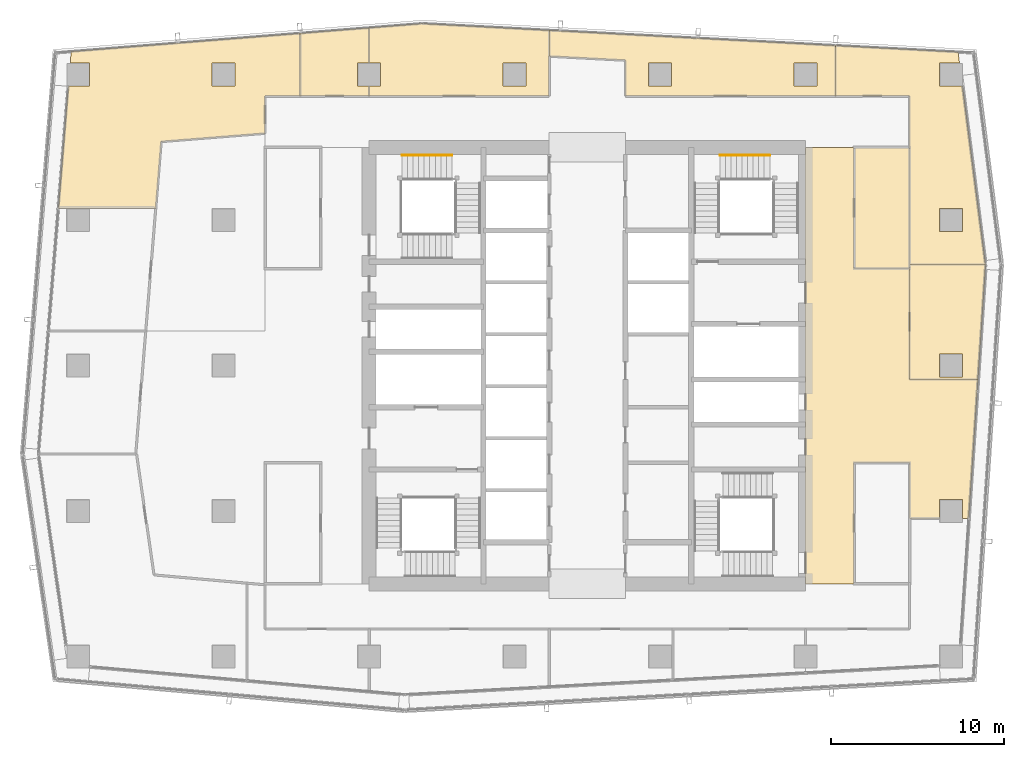
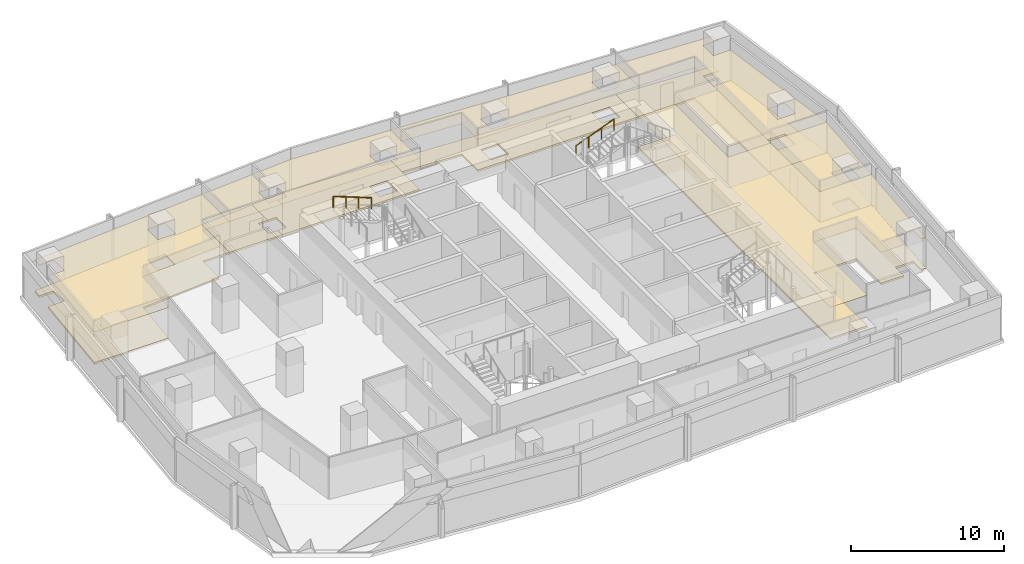
# One storey, part 29 of 29: 15 coverings, 2 railings.
"""IFC4 building model written with IfcOpenShell, lengths in metres."""

from ifc_helpers import new_model, si_unit, direction, frame, origin, origin_2d, place, context, subcontext, project, spatial, polyline, circle, outline, extrude, material, layer, layer_set, type_object, element, save


model = new_model("IFC4")

# Units and contexts
model_context = context("Model", 3, precision=1e-05, world=origin(), true_north=direction((0.0, 1.0)))
body_context = subcontext(model_context, "Body", "Model", "MODEL_VIEW")
ifc_project = project(units=[si_unit("LENGTHUNIT", "METRE"), si_unit("AREAUNIT", "SQUARE_METRE"), si_unit("VOLUMEUNIT", "CUBIC_METRE"), si_unit("PLANEANGLEUNIT", "RADIAN"), si_unit("MASSUNIT", "GRAM", prefix="KILO")], contexts=[model_context])

# Site, building, storey
site_placement = place(None, origin())
site = spatial("IfcSite", under=ifc_project, at=site_placement, CompositionType="ELEMENT")
building_placement = place(site_placement, origin())
building = spatial("IfcBuilding", under=site, at=building_placement, Name="Rekha Terrace Tower", CompositionType="ELEMENT")
storey_placement = place(building_placement, frame((0.0, 0.0, 276.35009765625)))
storey = spatial("IfcBuildingStorey", under=building, at=storey_placement, Name="L70", CompositionType="ELEMENT", Elevation=276.35009765625)

# Coverings
ifc_material_1 = material(Name="Mineral fibre tile in exposed grid", Category="finish")
ifc_layer_1 = layer(ifc_material_1, 0.02001953125)
ifc_layer_set_1 = layer_set([ifc_layer_1], Name="Mineral fibre tile in exposed grid")
covering_type_1 = type_object("IfcCoveringType", Name="CL1 600x1200 office grid ceiling", PredefinedType="CEILING", material=ifc_layer_set_1)
covering_1_placement = place(storey_placement, frame((0.0, 0.0, 2.579833984375)))
element("IfcCovering", 1, at=covering_1_placement, inside=storey, type_object=covering_type_1, Name="Ceiling L70-02", PredefinedType="CEILING", context=body_context, shape_type="SweptSolid", body=[
    extrude(outline(polyline([(56.39990234375, 32.7919921875), (60.345947265625, 32.7919921875), (60.787109375, 39.43896484375), (56.39990234375, 39.43896484375), (56.39990234375, 32.7919921875)]), holes=[polyline([(59.465087890625, 34.264892578125), (59.465087890625, 32.93505859375), (58.135009765625, 32.93505859375), (58.135009765625, 34.264892578125), (59.465087890625, 34.264892578125)])]), origin(), (0.0, 0.0, 1.0), 0.02001953125),
])
covering_2_placement = place(storey_placement, frame((0.0, 0.0, 2.579833984375)))
element("IfcCovering", 2, at=covering_2_placement, inside=storey, type_object=covering_type_1, Name="Ceiling L70-03", PredefinedType="CEILING", context=body_context, shape_type="SweptSolid", body=[
    extrude(outline(polyline([(59.199951171875, 51.7060546875), (52.123046875, 52.08203125), (52.123046875, 49.14990234375), (56.39990234375, 49.14990234375), (56.39990234375, 39.43994140625), (60.781005859375, 39.43994140625), (59.4541015625, 49.735107421875), (58.135009765625, 49.735107421875), (58.135009765625, 51.06494140625), (59.282958984375, 51.06494140625), (59.199951171875, 51.7060546875)]), holes=[polyline([(59.465087890625, 41.3349609375), (58.135009765625, 41.3349609375), (58.135009765625, 42.6650390625), (59.465087890625, 42.6650390625), (59.465087890625, 41.3349609375)])]), origin(), (0.0, 0.0, 1.0), 0.02001953125),
])
covering_3_placement = place(storey_placement, frame((0.0, 0.0, 2.579833984375)))
element("IfcCovering", 3, at=covering_3_placement, inside=storey, type_object=covering_type_1, Name="Ceiling L70-04", PredefinedType="CEILING", context=body_context, shape_type="SweptSolid", body=[
    extrude(outline(polyline([(44.172119140625, 52.5048828125), (35.60205078125, 52.9599609375), (35.60205078125, 51.4580078125), (40.0, 51.22509765625), (40.0, 49.14990234375), (52.123046875, 49.14990234375), (52.123046875, 52.08203125), (44.172119140625, 52.5048828125)]), holes=[polyline([(51.06494140625, 51.06494140625), (51.06494140625, 49.735107421875), (49.735107421875, 49.735107421875), (49.735107421875, 51.06494140625), (51.06494140625, 51.06494140625)]), polyline([(42.6650390625, 49.735107421875), (41.3349609375, 49.735107421875), (41.3349609375, 51.06494140625), (42.6650390625, 51.06494140625), (42.6650390625, 49.735107421875)])]), origin(), (0.0, 0.0, 1.0), 0.02001953125),
])
covering_4_placement = place(storey_placement, frame((0.0, 0.0, 2.579833984375)))
element("IfcCovering", 4, at=covering_4_placement, inside=storey, type_object=covering_type_1, Name="Ceiling L70-05", PredefinedType="CEILING", context=body_context, shape_type="SweptSolid", body=[
    extrude(outline(polyline([(25.205078125, 51.06494140625), (25.205078125, 53.10498046875), (21.22705078125, 52.7880859375), (21.22705078125, 49.14990234375), (25.205078125, 49.14990234375), (25.205078125, 49.735107421875), (24.534912109375, 49.735107421875), (24.534912109375, 51.06494140625), (25.205078125, 51.06494140625)])), origin(), (0.0, 0.0, 1.0), 0.02001953125),
])
covering_5_placement = place(storey_placement, frame((0.0, 0.0, 2.579833984375)))
element("IfcCovering", 5, at=covering_5_placement, inside=storey, type_object=covering_type_1, Name="Ceiling L70-06", PredefinedType="CEILING", context=body_context, shape_type="SweptSolid", body=[
    extrude(outline(polyline([(7.26611328125, 42.656982421875), (7.735107421875, 42.656982421875), (7.735107421875, 42.6650390625), (9.06494140625, 42.6650390625), (9.06494140625, 42.656982421875), (12.884033203125, 42.656982421875), (13.198974609375, 46.530029296875), (19.199951171875, 47.008056640625), (19.199951171875, 49.14990234375), (21.22607421875, 49.14990234375), (21.22607421875, 52.7880859375), (8.00390625, 51.73291015625), (7.949951171875, 51.06494140625), (9.06494140625, 51.06494140625), (9.06494140625, 49.735107421875), (7.842041015625, 49.735107421875), (7.26611328125, 42.656982421875)]), holes=[polyline([(17.465087890625, 49.735107421875), (16.135009765625, 49.735107421875), (16.135009765625, 51.06494140625), (17.465087890625, 51.06494140625), (17.465087890625, 49.735107421875)])]), origin(), (0.0, 0.0, 1.0), 0.02001953125),
])
covering_6_placement = place(storey_placement, frame((0.0, 0.0, 2.579833984375)))
element("IfcCovering", 6, at=covering_6_placement, inside=storey, type_object=covering_type_1, Name="Ceiling L70-08", PredefinedType="CEILING", context=body_context, shape_type="SweptSolid", body=[
    extrude(outline(polyline([(35.60205078125, 52.9599609375), (28.27294921875, 53.35009765625), (25.205078125, 53.10498046875), (25.205078125, 51.06494140625), (25.864990234375, 51.06494140625), (25.864990234375, 49.735107421875), (25.205078125, 49.735107421875), (25.205078125, 49.14990234375), (35.60009765625, 49.14990234375), (35.60009765625, 51.4580078125), (35.60205078125, 51.4580078125), (35.60205078125, 52.9599609375)]), holes=[polyline([(34.264892578125, 49.735107421875), (32.93505859375, 49.735107421875), (32.93505859375, 51.06494140625), (34.264892578125, 51.06494140625), (34.264892578125, 49.735107421875)])]), origin(), (0.0, 0.0, 1.0), 0.02001953125),
])
covering_7_placement = place(storey_placement, frame((0.0, 0.0, 2.579833984375)))
element("IfcCovering", 7, at=covering_7_placement, inside=storey, type_object=covering_type_1, Name="Ceiling L70-O2b", PredefinedType="CEILING", context=body_context, shape_type="SweptSolid", body=[
    extrude(outline(polyline([(50.39990234375, 21.0), (53.199951171875, 21.0), (53.199951171875, 28.0), (56.39990234375, 28.0), (56.39990234375, 24.785888671875), (58.135009765625, 24.785888671875), (58.135009765625, 25.864990234375), (59.465087890625, 25.864990234375), (59.465087890625, 24.785888671875), (59.81396484375, 24.785888671875), (60.300048828125, 32.095947265625), (60.345947265625, 32.7919921875), (56.39990234375, 32.7919921875), (56.39990234375, 39.199951171875), (53.199951171875, 39.199951171875), (53.199951171875, 46.199951171875), (50.39990234375, 46.199951171875), (50.39990234375, 21.0)])), origin(), (0.0, 0.0, 1.0), 0.02001953125),
])
ifc_material_2 = material(Name="Fibre cement board", Category="finish")
ifc_layer_2 = layer(ifc_material_2, 0.014892578125)
ifc_layer_set_2 = layer_set([ifc_layer_2], Name="Fibre cement board")
covering_type_2 = type_object("IfcCoveringType", Name="CL2 moisture-resistant board ceiling", PredefinedType="CEILING", material=ifc_layer_set_2)
covering_8_placement = place(storey_placement, frame((0.0, 0.0, 2.5849609375)))
element("IfcCovering", 8, at=covering_8_placement, inside=storey, type_object=covering_type_2, Name="Ceiling L70-WCF", PredefinedType="CEILING", context=body_context, shape_type="SweptSolid", body=[
    extrude(outline(polyline([(56.39990234375, 46.199951171875), (53.199951171875, 46.199951171875), (53.199951171875, 39.199951171875), (56.39990234375, 39.199951171875), (56.39990234375, 46.199951171875)])), origin(), (0.0, 0.0, 1.0), 0.014892578125),
])

# Railings
ifc_material_3 = material(Name="Stainless steel tube", Category="steel")
railing_type = type_object("IfcRailingType", Name="HR1 900 stair handrail", PredefinedType="HANDRAIL", material=ifc_material_3)
railing_1_placement = place(storey_placement, frame((45.449951171875, 45.739990234375, 1.375)))
element("IfcRailing", 9, at=railing_1_placement, inside=storey, type_object=railing_type, Name="Handrail ST2 L70 flight 2", PredefinedType="HANDRAIL", context=body_context, shape_type="SweptSolid", body=[
    extrude(circle(Radius=0.02392578125, at=origin_2d()), frame((0.0, 0.0, 0.8759765625), z_axis=(0.931462784923, 0.0, 0.363836612098), x_axis=(0.0, 1.0, 0.0)), (0.0, 0.0, 1.0), 3.092041015625),
    extrude(circle(Radius=0.02099609375, at=origin_2d()), origin(), (0.0, 0.0, 1.0), 0.851806640625),
    extrude(circle(Radius=0.02099609375, at=origin_2d()), frame((0.9599609375, 0.0, 0.375)), (0.0, 0.0, 1.0), 0.851806640625),
    extrude(circle(Radius=0.02099609375, at=origin_2d()), frame((1.920166015625, 0.0, 0.75)), (0.0, 0.0, 1.0), 0.851806640625),
    extrude(circle(Radius=0.02099609375, at=origin_2d()), frame((2.880126953125, 0.0, 1.125)), (0.0, 0.0, 1.0), 0.851806640625),
])
railing_2_placement = place(storey_placement, frame((29.97998046875, 45.739990234375, 2.625)))
element("IfcRailing", 10, at=railing_2_placement, inside=storey, type_object=railing_type, Name="Handrail ST4 L70 flight 3", PredefinedType="HANDRAIL", context=body_context, shape_type="SweptSolid", body=[
    extrude(circle(Radius=0.02392578125, at=origin_2d()), frame((0.0, 0.0, 0.8759765625), z_axis=(-0.931452331594, 0.0, 0.363863372667), x_axis=(0.0, -1.0, 0.0)), (0.0, 0.0, 1.0), 3.091796875),
    extrude(circle(Radius=0.02099609375, at=origin_2d()), origin(), (0.0, 0.0, 1.0), 0.851806640625),
    extrude(circle(Radius=0.02099609375, at=origin_2d()), frame((-0.9599609375, 0.0, 0.375)), (0.0, 0.0, 1.0), 0.851806640625),
    extrude(circle(Radius=0.02099609375, at=origin_2d()), frame((-1.919921875, 0.0, 0.75)), (0.0, 0.0, 1.0), 0.851806640625),
    extrude(circle(Radius=0.02099609375, at=origin_2d()), frame((-2.8798828125, 0.0, 1.125)), (0.0, 0.0, 1.0), 0.851806640625),
])

# Coverings
ifc_material_4 = material(Name="Calcium sulphate panels on steel pedestals", Category="steel")
ifc_layer_3 = layer(ifc_material_4, 0.14990234375)
ifc_layer_set_3 = layer_set([ifc_layer_3], Name="Calcium sulphate panels on steel pedestals")
covering_type_3 = type_object("IfcCoveringType", Name="RF1 150 raised access floor", PredefinedType="FLOORING", material=ifc_layer_set_3)
covering_9_placement = place(storey_placement, origin())
element("IfcCovering", 11, at=covering_9_placement, inside=storey, type_object=covering_type_3, Name="Raised floor L70-02", PredefinedType="FLOORING", context=body_context, shape_type="SweptSolid", body=[
    extrude(outline(polyline([(56.39990234375, 32.7919921875), (60.345947265625, 32.7919921875), (60.787109375, 39.43896484375), (56.39990234375, 39.43896484375), (56.39990234375, 32.7919921875)]), holes=[polyline([(59.465087890625, 34.264892578125), (59.465087890625, 32.93505859375), (58.135009765625, 32.93505859375), (58.135009765625, 34.264892578125), (59.465087890625, 34.264892578125)])]), origin(), (0.0, 0.0, 1.0), 0.14990234375),
])
covering_10_placement = place(storey_placement, origin())
element("IfcCovering", 12, at=covering_10_placement, inside=storey, type_object=covering_type_3, Name="Raised floor L70-03", PredefinedType="FLOORING", context=body_context, shape_type="SweptSolid", body=[
    extrude(outline(polyline([(59.199951171875, 51.7060546875), (52.123046875, 52.08203125), (52.123046875, 49.14990234375), (56.39990234375, 49.14990234375), (56.39990234375, 39.43994140625), (60.781005859375, 39.43994140625), (59.4541015625, 49.735107421875), (58.135009765625, 49.735107421875), (58.135009765625, 51.06494140625), (59.282958984375, 51.06494140625), (59.199951171875, 51.7060546875)]), holes=[polyline([(59.465087890625, 41.3349609375), (58.135009765625, 41.3349609375), (58.135009765625, 42.6650390625), (59.465087890625, 42.6650390625), (59.465087890625, 41.3349609375)])]), origin(), (0.0, 0.0, 1.0), 0.14990234375),
])
covering_11_placement = place(storey_placement, origin())
element("IfcCovering", 13, at=covering_11_placement, inside=storey, type_object=covering_type_3, Name="Raised floor L70-04", PredefinedType="FLOORING", context=body_context, shape_type="SweptSolid", body=[
    extrude(outline(polyline([(44.172119140625, 52.5048828125), (35.60205078125, 52.9599609375), (35.60205078125, 51.4580078125), (40.0, 51.22509765625), (40.0, 49.14990234375), (52.123046875, 49.14990234375), (52.123046875, 52.08203125), (44.172119140625, 52.5048828125)]), holes=[polyline([(51.06494140625, 51.06494140625), (51.06494140625, 49.735107421875), (49.735107421875, 49.735107421875), (49.735107421875, 51.06494140625), (51.06494140625, 51.06494140625)]), polyline([(42.6650390625, 49.735107421875), (41.3349609375, 49.735107421875), (41.3349609375, 51.06494140625), (42.6650390625, 51.06494140625), (42.6650390625, 49.735107421875)])]), origin(), (0.0, 0.0, 1.0), 0.14990234375),
])
covering_12_placement = place(storey_placement, origin())
element("IfcCovering", 14, at=covering_12_placement, inside=storey, type_object=covering_type_3, Name="Raised floor L70-05", PredefinedType="FLOORING", context=body_context, shape_type="SweptSolid", body=[
    extrude(outline(polyline([(25.205078125, 51.06494140625), (25.205078125, 53.10498046875), (21.22705078125, 52.7880859375), (21.22705078125, 49.14990234375), (25.205078125, 49.14990234375), (25.205078125, 49.735107421875), (24.534912109375, 49.735107421875), (24.534912109375, 51.06494140625), (25.205078125, 51.06494140625)])), origin(), (0.0, 0.0, 1.0), 0.14990234375),
])
covering_13_placement = place(storey_placement, origin())
element("IfcCovering", 15, at=covering_13_placement, inside=storey, type_object=covering_type_3, Name="Raised floor L70-06", PredefinedType="FLOORING", context=body_context, shape_type="SweptSolid", body=[
    extrude(outline(polyline([(7.26611328125, 42.656982421875), (7.735107421875, 42.656982421875), (7.735107421875, 42.6650390625), (9.06494140625, 42.6650390625), (9.06494140625, 42.656982421875), (12.884033203125, 42.656982421875), (13.198974609375, 46.530029296875), (19.199951171875, 47.008056640625), (19.199951171875, 49.14990234375), (21.22607421875, 49.14990234375), (21.22607421875, 52.7880859375), (8.00390625, 51.73291015625), (7.949951171875, 51.06494140625), (9.06494140625, 51.06494140625), (9.06494140625, 49.735107421875), (7.842041015625, 49.735107421875), (7.26611328125, 42.656982421875)]), holes=[polyline([(17.465087890625, 49.735107421875), (16.135009765625, 49.735107421875), (16.135009765625, 51.06494140625), (17.465087890625, 51.06494140625), (17.465087890625, 49.735107421875)])]), origin(), (0.0, 0.0, 1.0), 0.14990234375),
])
covering_14_placement = place(storey_placement, origin())
element("IfcCovering", 16, at=covering_14_placement, inside=storey, type_object=covering_type_3, Name="Raised floor L70-08", PredefinedType="FLOORING", context=body_context, shape_type="SweptSolid", body=[
    extrude(outline(polyline([(35.60205078125, 52.9599609375), (28.27294921875, 53.35009765625), (25.205078125, 53.10498046875), (25.205078125, 51.06494140625), (25.864990234375, 51.06494140625), (25.864990234375, 49.735107421875), (25.205078125, 49.735107421875), (25.205078125, 49.14990234375), (35.60009765625, 49.14990234375), (35.60009765625, 51.4580078125), (35.60205078125, 51.4580078125), (35.60205078125, 52.9599609375)]), holes=[polyline([(34.264892578125, 49.735107421875), (32.93505859375, 49.735107421875), (32.93505859375, 51.06494140625), (34.264892578125, 51.06494140625), (34.264892578125, 49.735107421875)])]), origin(), (0.0, 0.0, 1.0), 0.14990234375),
])
covering_15_placement = place(storey_placement, origin())
element("IfcCovering", 17, at=covering_15_placement, inside=storey, type_object=covering_type_3, Name="Raised floor L70-O2b", PredefinedType="FLOORING", context=body_context, shape_type="SweptSolid", body=[
    extrude(outline(polyline([(50.39990234375, 21.0), (53.199951171875, 21.0), (53.199951171875, 28.0), (56.39990234375, 28.0), (56.39990234375, 24.785888671875), (58.135009765625, 24.785888671875), (58.135009765625, 25.864990234375), (59.465087890625, 25.864990234375), (59.465087890625, 24.785888671875), (59.81396484375, 24.785888671875), (60.300048828125, 32.095947265625), (60.345947265625, 32.7919921875), (56.39990234375, 32.7919921875), (56.39990234375, 39.199951171875), (53.199951171875, 39.199951171875), (53.199951171875, 46.199951171875), (50.39990234375, 46.199951171875), (50.39990234375, 21.0)])), origin(), (0.0, 0.0, 1.0), 0.14990234375),
])

save(model, "model.ifc")
